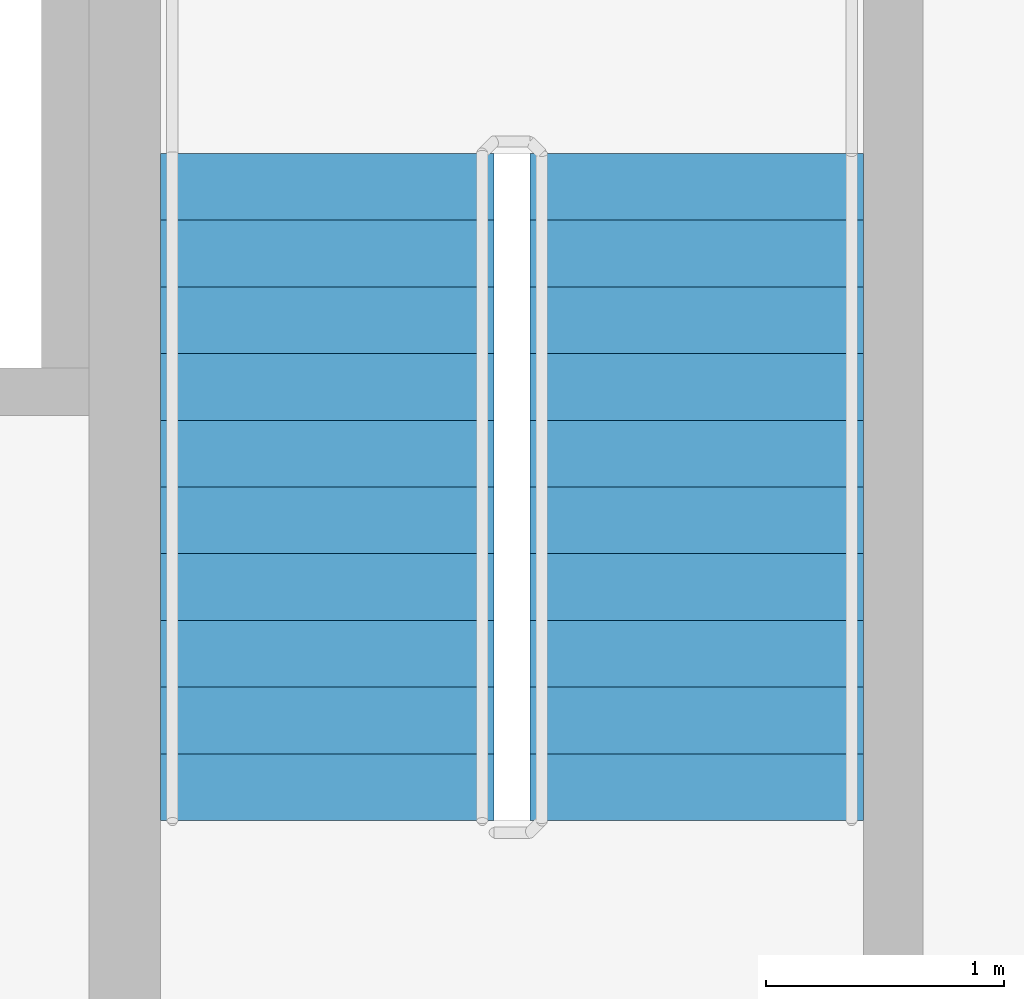
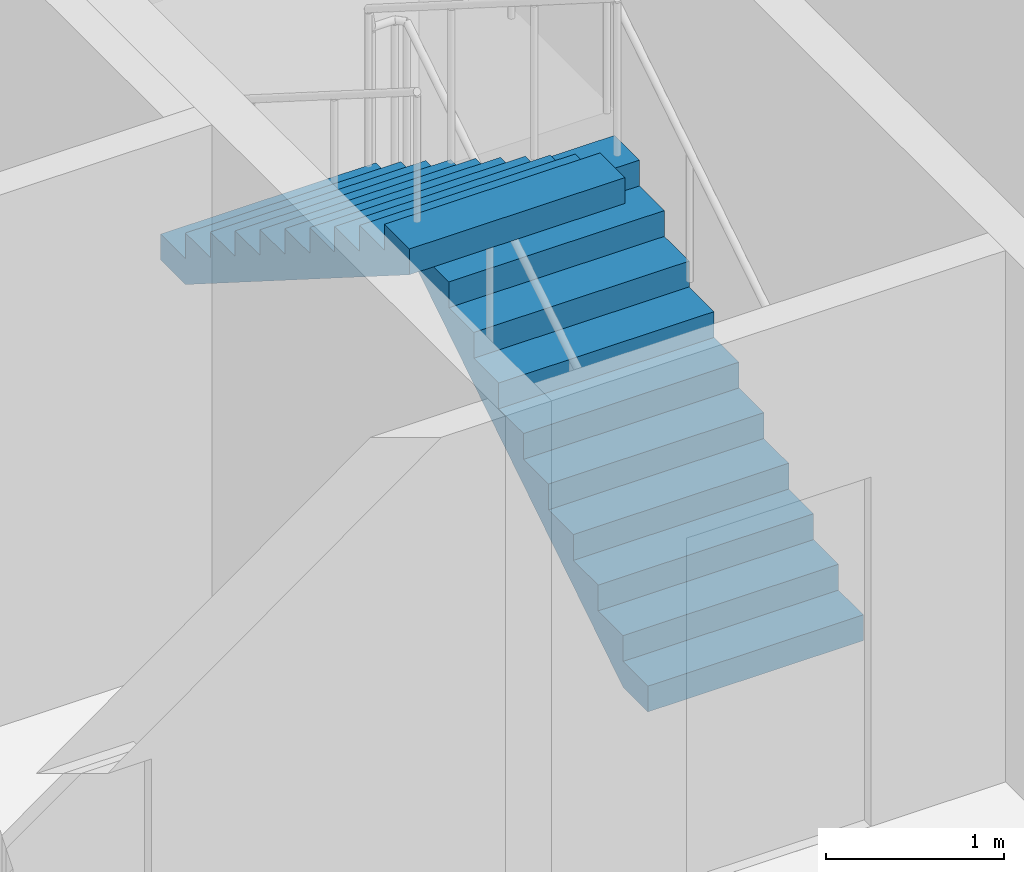
# One storey, part 11 of 13: 2 stair flights, 1 element without a shape of its own.
"""IFC4 building model written with IfcOpenShell, lengths in metres."""

from ifc_helpers import new_model, si_unit, direction, frame, origin, place, context, subcontext, project, spatial, polyline, outline, extrude, material, type_object, element, aggregate, save


model = new_model("IFC4")

# Units and contexts
model_context = context("Model", 3, precision=1e-05, world=origin(), true_north=direction((0.0, 1.0)))
body_context = subcontext(model_context, "Body", "Model", "MODEL_VIEW")
ifc_project = project(units=[si_unit("LENGTHUNIT", "METRE"), si_unit("AREAUNIT", "SQUARE_METRE"), si_unit("VOLUMEUNIT", "CUBIC_METRE"), si_unit("PLANEANGLEUNIT", "RADIAN"), si_unit("MASSUNIT", "GRAM", prefix="KILO")], contexts=[model_context])

# Site, building, storey
site_placement = place(None, origin())
site = spatial("IfcSite", under=ifc_project, at=site_placement, CompositionType="ELEMENT")
building_placement = place(site_placement, origin())
building = spatial("IfcBuilding", under=site, at=building_placement, Name="Tarnside Tower", CompositionType="ELEMENT")
storey_placement = place(building_placement, frame((0.0, 0.0, 111.60009765625)))
storey = spatial("IfcBuildingStorey", under=building, at=storey_placement, Name="L25", CompositionType="ELEMENT", Elevation=111.60009765625)

# Stair, stair flights
ifc_material = material(Name="Concrete C40/50", Category="concrete")
stair_type = type_object("IfcStairType", Name="Exit stair 1400 clear", PredefinedType="HALF_TURN_STAIR", material=ifc_material)
stair_placement = place(storey_placement, origin())
stair = element("IfcStair", 1, at=stair_placement, inside=storey, type_object=stair_type, Name="L25 Exit stair 1", PredefinedType="HALF_TURN_STAIR")
stair_flight_type = type_object("IfcStairFlightType", Name="Exit stair flight 1400", PredefinedType="STRAIGHT", material=ifc_material)
stair_flight_1_placement = place(storey_placement, frame((8.14990234375, -1.800048828125, 0.0), z_axis=(0.0, 0.0, 1.0), x_axis=(0.0, 1.0, 0.0)))
stair_flight_1 = element("IfcStairFlight", 2, at=stair_flight_1_placement, type_object=stair_flight_type, Name="ST1 flight 1", NumberOfRisers=11, NumberOfTreads=10, PredefinedType="STRAIGHT", RiserHeight=0.177272727, TreadLength=0.28, context=body_context, shape_type="SweptSolid", body=[
    extrude(outline(polyline([(0.0, 0.0), (0.0, 0.17724609375), (0.280029296875, 0.17724609375), (0.280029296875, 0.3544921875), (0.56005859375, 0.3544921875), (0.56005859375, 0.53173828125), (0.840087890625, 0.53173828125), (0.840087890625, 0.708984375), (1.1201171875, 0.708984375), (1.1201171875, 0.886474609375), (1.39990234375, 0.886474609375), (1.39990234375, 1.063720703125), (1.679931640625, 1.063720703125), (1.679931640625, 1.240966796875), (1.9599609375, 1.240966796875), (1.9599609375, 1.418212890625), (2.239990234375, 1.418212890625), (2.239990234375, 1.595458984375), (2.52001953125, 1.595458984375), (2.52001953125, 1.772705078125), (2.800048828125, 1.772705078125), (2.800048828125, 1.949951171875), (2.800048828125, 1.59521484375), (0.2802734375, 0.0), (0.0, 0.0)])), frame((0.0, 0.699951171875, 0.0), z_axis=(0.0, -1.0, 0.0), x_axis=(1.0, 0.0, 0.0)), (0.0, 0.0, 1.0), 1.39990234375),
])
stair_flight_2_placement = place(storey_placement, frame((6.60009765625, 1.0, 1.949951171875), z_axis=(0.0, 0.0, 1.0), x_axis=(0.0, -1.0, 0.0)))
stair_flight_2 = element("IfcStairFlight", 3, at=stair_flight_2_placement, type_object=stair_flight_type, Name="ST1 flight 2", NumberOfRisers=11, NumberOfTreads=10, PredefinedType="STRAIGHT", RiserHeight=0.177272727, TreadLength=0.28, context=body_context, shape_type="SweptSolid", body=[
    extrude(outline(polyline([(0.0, 0.0), (0.0, 0.17724609375), (0.280029296875, 0.17724609375), (0.280029296875, 0.3544921875), (0.56005859375, 0.3544921875), (0.56005859375, 0.53173828125), (0.840087890625, 0.53173828125), (0.840087890625, 0.708984375), (1.1201171875, 0.708984375), (1.1201171875, 0.886474609375), (1.39990234375, 0.886474609375), (1.39990234375, 1.063720703125), (1.679931640625, 1.063720703125), (1.679931640625, 1.240966796875), (1.9599609375, 1.240966796875), (1.9599609375, 1.418212890625), (2.239990234375, 1.418212890625), (2.239990234375, 1.595458984375), (2.52001953125, 1.595458984375), (2.52001953125, 1.772705078125), (2.800048828125, 1.772705078125), (2.800048828125, 1.949951171875), (2.800048828125, 1.59521484375), (0.2802734375, 0.0), (0.0, 0.0)])), frame((0.0, 0.699951171875, 0.0), z_axis=(0.0, -1.0, 0.0), x_axis=(1.0, 0.0, 0.0)), (0.0, 0.0, 1.0), 1.39990234375),
])
aggregate(stair, [stair_flight_1, stair_flight_2])

save(model, "model.ifc")
